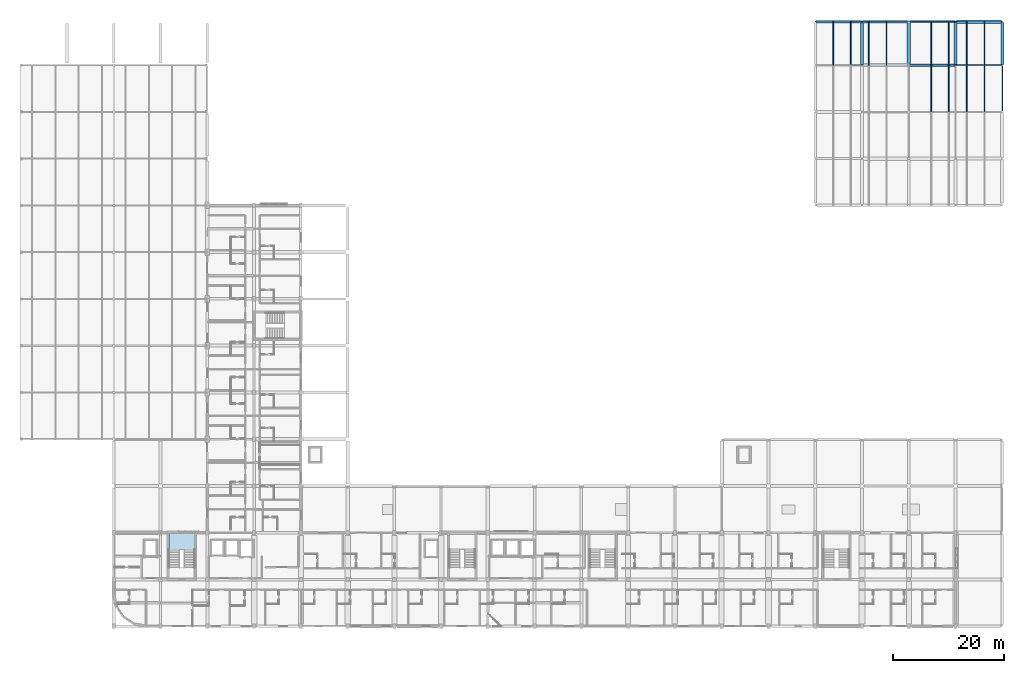
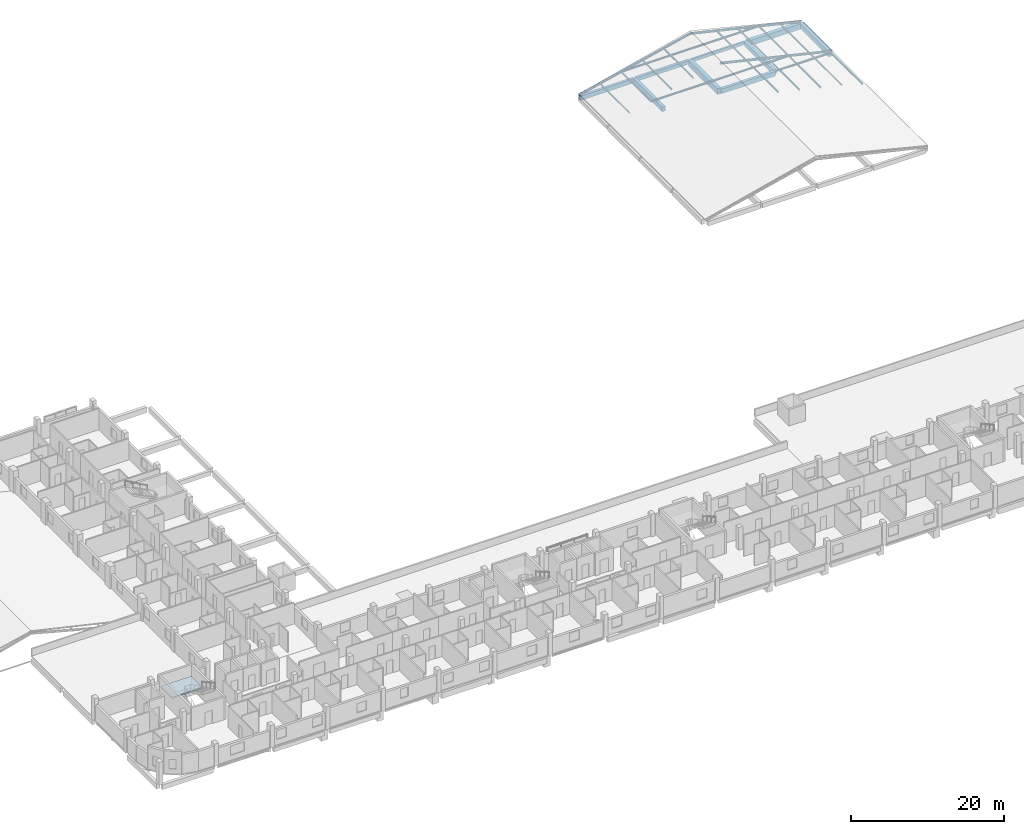
# One storey, part 11 of 42: 17 members, 11 beams, 1 slab, 1 element without a shape of its own.
"""IFC4 building model written with IfcOpenShell, lengths in metres."""

from ifc_helpers import new_model, si_unit, derived_unit, direction, frame, origin, origin_2d, place, context, subcontext, project, spatial, polyline, rectangle, i_section, outline, extrude, material, layer, layer_set, material_profile, profile_set, type_object, element, aggregate, save


model = new_model("IFC4")

# Units and contexts
model_context = context("Model", 3, precision=1e-05, world=origin(), true_north=direction((0.0, 1.0)))
body_context = subcontext(model_context, "Body", "Model", "MODEL_VIEW")
ifc_project = project(units=[si_unit("LENGTHUNIT", "METRE"), si_unit("AREAUNIT", "SQUARE_METRE"), si_unit("VOLUMEUNIT", "CUBIC_METRE"), si_unit("PLANEANGLEUNIT", "RADIAN"), si_unit("MASSUNIT", "GRAM", prefix="KILO"), derived_unit("THERMALTRANSMITTANCEUNIT", [(si_unit("POWERUNIT", "WATT"), 1), (si_unit("LENGTHUNIT", "METRE"), -2), (si_unit("THERMODYNAMICTEMPERATUREUNIT", "KELVIN"), -1)])], contexts=[model_context])

# Site, building, storey
site_placement = place(None, origin())
site = spatial("IfcSite", under=ifc_project, at=site_placement, CompositionType="ELEMENT")
building_placement = place(site_placement, origin())
building = spatial("IfcBuilding", under=site, at=building_placement, Name="Barrovel Congress Hotel", CompositionType="ELEMENT")
storey_placement = place(building_placement, frame((0.0, 0.0, 18.300048828125)))
storey = spatial("IfcBuildingStorey", under=building, at=storey_placement, Name="L04", CompositionType="ELEMENT", Elevation=18.300048828125)

# Beams
ifc_material_1 = material(Name="Concrete C40", Category="concrete")
ifc_material_profile_1 = material_profile(ifc_material_1, rectangle(XDim=0.25, YDim=0.5, at=origin_2d()), Name="RC250x500")
ifc_profile_set_1 = profile_set([ifc_material_profile_1], Name="Concrete C40")
beam_type_1 = type_object("IfcBeamType", Name="BM-RC250x500", PredefinedType="SPANDREL", material=ifc_profile_set_1)
beam_1_placement = place(storey_placement, frame((159.72705078125, 112.800048828125, -0.550048828125), z_axis=(1.0, 0.0, 0.0), x_axis=(0.0, 1.0, 0.0)))
element("IfcBeam", 1, at=beam_1_placement, inside=storey, type_object=beam_type_1, Name="BMX:L04:112.8:159.6-168.0", PredefinedType="SPANDREL", context=body_context, shape_type="SweptSolid", body=[
    extrude(rectangle(XDim=0.25, YDim=0.5, at=origin_2d()), origin(), (0.0, 0.0, 1.0), 8.14599609375),
])
ifc_material_profile_2 = material_profile(ifc_material_1, rectangle(XDim=0.39990234375, YDim=0.60009765625, at=origin_2d()), Name="RC400x600")
ifc_profile_set_2 = profile_set([ifc_material_profile_2], Name="Concrete C40")
beam_type_2 = type_object("IfcBeamType", Name="BM-RC400x600", PredefinedType="BEAM", material=ifc_profile_set_2)
beam_2_placement = place(storey_placement, frame((151.326904296875, 112.800048828125, -0.60009765625), z_axis=(1.0, 0.0, 0.0), x_axis=(0.0, 1.0, 0.0)))
element("IfcBeam", 2, at=beam_2_placement, inside=storey, type_object=beam_type_2, Name="BMX:L04:112.8:151.2-159.6", PredefinedType="BEAM", context=body_context, shape_type="SweptSolid", body=[
    extrude(rectangle(XDim=0.39990234375, YDim=0.60009765625, at=origin_2d()), origin(), (0.0, 0.0, 1.0), 8.14599609375),
])
ifc_material_profile_3 = material_profile(ifc_material_1, rectangle(XDim=0.39990234375, YDim=0.699951171875, at=origin_2d()), Name="RC400x700")
ifc_profile_set_3 = profile_set([ifc_material_profile_3], Name="Concrete C40")
beam_type_3 = type_object("IfcBeamType", Name="BM-RC400x700", PredefinedType="BEAM", material=ifc_profile_set_3)
beam_3_placement = place(storey_placement, frame((142.927001953125, 112.800048828125, -0.650146484375), z_axis=(1.0, 0.0, 0.0), x_axis=(0.0, 1.0, 0.0)))
element("IfcBeam", 3, at=beam_3_placement, inside=storey, type_object=beam_type_3, Name="BMX:L04:112.8:142.8-151.2", PredefinedType="BEAM", context=body_context, shape_type="SweptSolid", body=[
    extrude(rectangle(XDim=0.39990234375, YDim=0.699951171875, at=origin_2d()), origin(), (0.0, 0.0, 1.0), 8.14599609375),
])
ifc_material_profile_4 = material_profile(ifc_material_1, rectangle(XDim=0.449951171875, YDim=0.75, at=origin_2d()), Name="RC450x750")
ifc_profile_set_4 = profile_set([ifc_material_profile_4], Name="Concrete C40")
beam_type_4 = type_object("IfcBeamType", Name="BM-RC450x750", PredefinedType="BEAM", material=ifc_profile_set_4)
beam_4_placement = place(storey_placement, frame((159.72705078125, 105.0, -0.675048828125), z_axis=(1.0, 0.0, 0.0), x_axis=(0.0, 1.0, 0.0)))
element("IfcBeam", 4, at=beam_4_placement, inside=storey, type_object=beam_type_4, Name="BMX:L04:105.0:159.6-168.0", PredefinedType="BEAM", context=body_context, shape_type="SweptSolid", body=[
    extrude(rectangle(XDim=0.449951171875, YDim=0.75, at=origin_2d()), origin(), (0.0, 0.0, 1.0), 8.14599609375),
])
ifc_material_profile_5 = material_profile(ifc_material_1, rectangle(XDim=0.5, YDim=0.75, at=origin_2d()), Name="RC500x750")
ifc_profile_set_5 = profile_set([ifc_material_profile_5], Name="Concrete C40")
beam_type_5 = type_object("IfcBeamType", Name="BM-RC500x750", PredefinedType="BEAM", material=ifc_profile_set_5)
for number, where, z_axis, x_axis, name in (
    (5, (151.199951171875, 105.126953125, -0.675048828125), (0.0, 1.0, 0.0), (-1.0, 0.0, 0.0), "BMY:L04:151.2:105.0-112.8"),
    (6, (168.0, 105.126953125, -0.675048828125), (0.0, 1.0, 0.0), (-1.0, 0.0, 0.0), "BMY:L04:168.0:105.0-112.8"),
):
    element("IfcBeam", number, at=place(storey_placement, frame(where, z_axis=z_axis, x_axis=x_axis)), inside=storey, type_object=beam_type_5, Name=name, PredefinedType="BEAM", context=body_context, shape_type="SweptSolid", body=[
        extrude(rectangle(XDim=0.5, YDim=0.75, at=origin_2d()), origin(), (0.0, 0.0, 1.0), 7.546142578125),
    ])
ifc_material_profile_6 = material_profile(ifc_material_1, rectangle(XDim=0.550048828125, YDim=0.800048828125, at=origin_2d()), Name="RC550x800")
ifc_profile_set_6 = profile_set([ifc_material_profile_6], Name="Concrete C40")
beam_type_6 = type_object("IfcBeamType", Name="BM-RC550x800", PredefinedType="BEAM", material=ifc_profile_set_6)
beam_5_placement = place(storey_placement, frame((176.39990234375, 105.126953125, -0.699951171875), z_axis=(0.0, 1.0, 0.0), x_axis=(-1.0, 0.0, 0.0)))
element("IfcBeam", 7, at=beam_5_placement, inside=storey, type_object=beam_type_6, Name="BMY:L04:176.4:105.0-112.8", PredefinedType="BEAM", context=body_context, shape_type="SweptSolid", body=[
    extrude(rectangle(XDim=0.550048828125, YDim=0.800048828125, at=origin_2d()), origin(), (0.0, 0.0, 1.0), 7.546142578125),
])
ifc_material_profile_7 = material_profile(ifc_material_1, rectangle(XDim=0.60009765625, YDim=0.85009765625, at=origin_2d()), Name="RC600x850")
ifc_profile_set_7 = profile_set([ifc_material_profile_7], Name="Concrete C40")
beam_type_7 = type_object("IfcBeamType", Name="BM-RC600x850", PredefinedType="BEAM", material=ifc_profile_set_7)
beam_6_placement = place(storey_placement, frame((168.126953125, 112.800048828125, -0.72509765625), z_axis=(1.0, 0.0, 0.0), x_axis=(0.0, 1.0, 0.0)))
element("IfcBeam", 8, at=beam_6_placement, inside=storey, type_object=beam_type_7, Name="BMX:L04:112.8:168.0-176.4", PredefinedType="BEAM", context=body_context, shape_type="SweptSolid", body=[
    extrude(rectangle(XDim=0.60009765625, YDim=0.85009765625, at=origin_2d()), origin(), (0.0, 0.0, 1.0), 8.14599609375),
])
ifc_material_profile_8 = material_profile(ifc_material_1, rectangle(XDim=0.60009765625, YDim=0.949951171875, at=origin_2d()), Name="RC600x950")
ifc_profile_set_8 = profile_set([ifc_material_profile_8], Name="Concrete C40")
beam_type_8 = type_object("IfcBeamType", Name="BM-RC600x950", PredefinedType="BEAM", material=ifc_profile_set_8)
beam_7_placement = place(storey_placement, frame((159.60009765625, 105.126953125, -0.775146484375), z_axis=(0.0, 1.0, 0.0), x_axis=(-1.0, 0.0, 0.0)))
element("IfcBeam", 9, at=beam_7_placement, inside=storey, type_object=beam_type_8, Name="BMY:L04:159.6:105.0-112.8", PredefinedType="BEAM", context=body_context, shape_type="SweptSolid", body=[
    extrude(rectangle(XDim=0.60009765625, YDim=0.949951171875, at=origin_2d()), origin(), (0.0, 0.0, 1.0), 7.546142578125),
])

# Members
ifc_material_2 = material(Name="Steel ASTM A992 Grade 50", Category="steel")
ifc_material_profile_9 = material_profile(ifc_material_2, i_section(OverallWidth=0.152099609375, OverallDepth=0.152099609375, WebThickness=0.005859375, FlangeThickness=0.006591796875, FilletRadius=0.009033203125, at=origin_2d()), Name="W150x22.5")
ifc_profile_set_9 = profile_set([ifc_material_profile_9], Name="Steel ASTM A992 Grade 50")
member_type_1 = type_object("IfcMemberType", Name="MEM-W150x22.5", PredefinedType="STRINGER", material=ifc_profile_set_9)
member_1_placement = place(storey_placement, frame((146.0, 105.0, 0.572021484375), z_axis=(0.0, 1.0, 0.0), x_axis=(-1.0, 0.0, 0.0)))
element("IfcMember", 10, at=member_1_placement, inside=storey, type_object=member_type_1, Name="V3-PUR:146.0:105.0", PredefinedType="STRINGER", context=body_context, shape_type="SweptSolid", body=[
    extrude(i_section(OverallWidth=0.152099609375, OverallDepth=0.152099609375, WebThickness=0.005859375, FlangeThickness=0.006591796875, FilletRadius=0.009033203125, at=origin_2d()), origin(), (0.0, 0.0, 1.0), 7.800048828125),
])
member_2_placement = place(storey_placement, frame((173.199951171875, 96.60009765625, 0.572021484375), z_axis=(0.0, 1.0, 0.0), x_axis=(-1.0, 0.0, 0.0)))
element("IfcMember", 11, at=member_2_placement, inside=storey, type_object=member_type_1, Name="V3-PUR:173.2:96.6", PredefinedType="STRINGER", context=body_context, shape_type="SweptSolid", body=[
    extrude(i_section(OverallWidth=0.152099609375, OverallDepth=0.152099609375, WebThickness=0.005859375, FlangeThickness=0.006591796875, FilletRadius=0.009033203125, at=origin_2d()), origin(), (0.0, 0.0, 1.0), 8.39990234375),
])
member_3_placement = place(storey_placement, frame((173.199951171875, 105.0, 0.572021484375), z_axis=(0.0, 1.0, 0.0), x_axis=(-1.0, 0.0, 0.0)))
element("IfcMember", 12, at=member_3_placement, inside=storey, type_object=member_type_1, Name="V3-PUR:173.2:105.0", PredefinedType="STRINGER", context=body_context, shape_type="SweptSolid", body=[
    extrude(i_section(OverallWidth=0.152099609375, OverallDepth=0.152099609375, WebThickness=0.005859375, FlangeThickness=0.006591796875, FilletRadius=0.009033203125, at=origin_2d()), origin(), (0.0, 0.0, 1.0), 7.800048828125),
])
ifc_material_profile_10 = material_profile(ifc_material_2, i_section(OverallWidth=0.166015625, OverallDepth=0.205078125, WebThickness=0.007080078125, FlangeThickness=0.01171875, FilletRadius=0.010009765625, at=origin_2d()), Name="W200x42")
ifc_profile_set_10 = profile_set([ifc_material_profile_10], Name="Steel ASTM A992 Grade 50")
member_type_2 = type_object("IfcMemberType", Name="MEM-W200x42", PredefinedType="PURLIN", material=ifc_profile_set_10)
for number, where, z_axis, x_axis, name in (
    (13, (149.199951171875, 105.0, 1.32421875), (0.0, 1.0, 0.0), (-1.0, 0.0, 0.0), "V3-PUR:149.2:105.0"),
    (14, (152.39990234375, 105.0, 2.076416015625), (0.0, 1.0, 0.0), (-1.0, 0.0, 0.0), "V3-PUR:152.4:105.0"),
    (15, (155.60009765625, 105.0, 2.828369140625), (0.0, 1.0, 0.0), (-1.0, 0.0, 0.0), "V3-PUR:155.6:105.0"),
):
    element("IfcMember", number, at=place(storey_placement, frame(where, z_axis=z_axis, x_axis=x_axis)), inside=storey, type_object=member_type_2, Name=name, PredefinedType="PURLIN", context=body_context, shape_type="SweptSolid", body=[
        extrude(i_section(OverallWidth=0.166015625, OverallDepth=0.205078125, WebThickness=0.007080078125, FlangeThickness=0.01171875, FilletRadius=0.010009765625, at=origin_2d()), origin(), (0.0, 0.0, 1.0), 7.800048828125),
    ])
member_4_placement = place(storey_placement, frame((163.60009765625, 96.60009765625, 2.828369140625), z_axis=(0.0, 1.0, 0.0), x_axis=(-1.0, 0.0, 0.0)))
element("IfcMember", 16, at=member_4_placement, inside=storey, type_object=member_type_2, Name="V3-PUR:163.6:96.6", PredefinedType="PURLIN", context=body_context, shape_type="SweptSolid", body=[
    extrude(i_section(OverallWidth=0.166015625, OverallDepth=0.205078125, WebThickness=0.007080078125, FlangeThickness=0.01171875, FilletRadius=0.010009765625, at=origin_2d()), origin(), (0.0, 0.0, 1.0), 8.39990234375),
])
member_5_placement = place(storey_placement, frame((163.60009765625, 105.0, 2.828369140625), z_axis=(0.0, 1.0, 0.0), x_axis=(-1.0, 0.0, 0.0)))
element("IfcMember", 17, at=member_5_placement, inside=storey, type_object=member_type_2, Name="V3-PUR:163.6:105.0", PredefinedType="PURLIN", context=body_context, shape_type="SweptSolid", body=[
    extrude(i_section(OverallWidth=0.166015625, OverallDepth=0.205078125, WebThickness=0.007080078125, FlangeThickness=0.01171875, FilletRadius=0.010009765625, at=origin_2d()), origin(), (0.0, 0.0, 1.0), 7.800048828125),
])
member_6_placement = place(storey_placement, frame((166.800048828125, 96.60009765625, 2.076416015625), z_axis=(0.0, 1.0, 0.0), x_axis=(-1.0, 0.0, 0.0)))
element("IfcMember", 18, at=member_6_placement, inside=storey, type_object=member_type_2, Name="V3-PUR:166.8:96.6", PredefinedType="PURLIN", context=body_context, shape_type="SweptSolid", body=[
    extrude(i_section(OverallWidth=0.166015625, OverallDepth=0.205078125, WebThickness=0.007080078125, FlangeThickness=0.01171875, FilletRadius=0.010009765625, at=origin_2d()), origin(), (0.0, 0.0, 1.0), 8.39990234375),
])
member_7_placement = place(storey_placement, frame((166.800048828125, 105.0, 2.076416015625), z_axis=(0.0, 1.0, 0.0), x_axis=(-1.0, 0.0, 0.0)))
element("IfcMember", 19, at=member_7_placement, inside=storey, type_object=member_type_2, Name="V3-PUR:166.8:105.0", PredefinedType="PURLIN", context=body_context, shape_type="SweptSolid", body=[
    extrude(i_section(OverallWidth=0.166015625, OverallDepth=0.205078125, WebThickness=0.007080078125, FlangeThickness=0.01171875, FilletRadius=0.010009765625, at=origin_2d()), origin(), (0.0, 0.0, 1.0), 7.800048828125),
])
member_8_placement = place(storey_placement, frame((170.0, 96.60009765625, 1.32421875), z_axis=(0.0, 1.0, 0.0), x_axis=(-1.0, 0.0, 0.0)))
element("IfcMember", 20, at=member_8_placement, inside=storey, type_object=member_type_2, Name="V3-PUR:170.0:96.6", PredefinedType="PURLIN", context=body_context, shape_type="SweptSolid", body=[
    extrude(i_section(OverallWidth=0.166015625, OverallDepth=0.205078125, WebThickness=0.007080078125, FlangeThickness=0.01171875, FilletRadius=0.010009765625, at=origin_2d()), origin(), (0.0, 0.0, 1.0), 8.39990234375),
])
member_9_placement = place(storey_placement, frame((170.0, 105.0, 1.32421875), z_axis=(0.0, 1.0, 0.0), x_axis=(-1.0, 0.0, 0.0)))
element("IfcMember", 21, at=member_9_placement, inside=storey, type_object=member_type_2, Name="V3-PUR:170.0:105.0", PredefinedType="PURLIN", context=body_context, shape_type="SweptSolid", body=[
    extrude(i_section(OverallWidth=0.166015625, OverallDepth=0.205078125, WebThickness=0.007080078125, FlangeThickness=0.01171875, FilletRadius=0.010009765625, at=origin_2d()), origin(), (0.0, 0.0, 1.0), 7.800048828125),
])
ifc_material_profile_11 = material_profile(ifc_material_2, i_section(OverallWidth=0.201904296875, OverallDepth=0.2470703125, WebThickness=0.00732421875, FlangeThickness=0.010986328125, FilletRadius=0.011962890625, at=origin_2d()), Name="W250x49")
ifc_profile_set_11 = profile_set([ifc_material_profile_11], Name="Steel ASTM A992 Grade 50")
member_type_3 = type_object("IfcMemberType", Name="MEM-W250x49", PredefinedType="RAFTER", material=ifc_profile_set_11)
for number, where, z_axis, x_axis, name in (
    (22, (149.199951171875, 105.0, 1.32421875), (1.0, 0.0, 0.0), (0.0, 1.0, 0.0), "V3-TIE:105.0"),
    (23, (149.199951171875, 112.800048828125, 1.32421875), (1.0, 0.0, 0.0), (0.0, 1.0, 0.0), "V3-TIE:112.8"),
):
    element("IfcMember", number, at=place(storey_placement, frame(where, z_axis=z_axis, x_axis=x_axis)), inside=storey, type_object=member_type_3, Name=name, PredefinedType="RAFTER", context=body_context, shape_type="SweptSolid", body=[
        extrude(i_section(OverallWidth=0.201904296875, OverallDepth=0.2470703125, WebThickness=0.00732421875, FlangeThickness=0.010986328125, FilletRadius=0.011962890625, at=origin_2d()), origin(), (0.0, 0.0, 1.0), 20.800048828125),
    ])
ifc_material_profile_12 = material_profile(ifc_material_2, i_section(OverallWidth=0.205078125, OverallDepth=0.31005859375, WebThickness=0.009521484375, FlangeThickness=0.016357421875, FilletRadius=0.012939453125, at=origin_2d()), Name="W310x74")
ifc_profile_set_12 = profile_set([ifc_material_profile_12], Name="Steel ASTM A992 Grade 50")
member_type_4 = type_object("IfcMemberType", Name="MEM-W310x74", PredefinedType="RAFTER", material=ifc_profile_set_12)
member_10_placement = place(storey_placement, frame((159.60009765625, 105.0, 3.7685546875), z_axis=(0.97347409676, 0.0, -0.228797252905), x_axis=(0.0, 1.0, 0.0)))
element("IfcMember", 24, at=member_10_placement, inside=storey, type_object=member_type_4, Name="V3-RAF-E:105.0", PredefinedType="RAFTER", context=body_context, shape_type="SweptSolid", body=[
    extrude(i_section(OverallWidth=0.205078125, OverallDepth=0.31005859375, WebThickness=0.009521484375, FlangeThickness=0.016357421875, FilletRadius=0.012939453125, at=origin_2d()), origin(), (0.0, 0.0, 1.0), 17.257568359375),
])
member_11_placement = place(storey_placement, frame((142.800048828125, 112.800048828125, -0.179931640625), z_axis=(0.973474837308, 0.0, 0.228794102041), x_axis=(0.0, 1.0, 0.0)))
element("IfcMember", 25, at=member_11_placement, inside=storey, type_object=member_type_4, Name="V3-RAF-W:112.8", PredefinedType="RAFTER", context=body_context, shape_type="SweptSolid", body=[
    extrude(i_section(OverallWidth=0.205078125, OverallDepth=0.31005859375, WebThickness=0.009521484375, FlangeThickness=0.016357421875, FilletRadius=0.012939453125, at=origin_2d()), origin(), (0.0, 0.0, 1.0), 17.2578125),
])
member_12_placement = place(storey_placement, frame((159.60009765625, 112.800048828125, 3.7685546875), z_axis=(0.97347409676, 0.0, -0.228797252905), x_axis=(0.0, 1.0, 0.0)))
element("IfcMember", 26, at=member_12_placement, inside=storey, type_object=member_type_4, Name="V3-RAF-E:112.8", PredefinedType="RAFTER", context=body_context, shape_type="SweptSolid", body=[
    extrude(i_section(OverallWidth=0.205078125, OverallDepth=0.31005859375, WebThickness=0.009521484375, FlangeThickness=0.016357421875, FilletRadius=0.012939453125, at=origin_2d()), origin(), (0.0, 0.0, 1.0), 17.257568359375),
])

# Beams
ifc_material_profile_13 = material_profile(ifc_material_2, i_section(OverallWidth=0.201904296875, OverallDepth=0.2470703125, WebThickness=0.00732421875, FlangeThickness=0.010986328125, FilletRadius=0.011962890625, at=origin_2d()), Name="W250x49")
ifc_profile_set_13 = profile_set([ifc_material_profile_13], Name="Steel ASTM A992 Grade 50")
beam_type_9 = type_object("IfcBeamType", Name="SBM-W250x49", PredefinedType="SPANDREL", material=ifc_profile_set_13)
for number, where, z_axis, x_axis, name in (
    (27, (168.126953125, 105.0, -0.423583984375), (1.0, 0.0, 0.0), (0.0, 1.0, 0.0), "BMX:L04:105.0:168.0-176.4"),
    (28, (176.39990234375, 96.72705078125, -0.423583984375), (0.0, 1.0, 0.0), (-1.0, 0.0, 0.0), "BMY:L04:176.4:96.6-105.0"),
):
    element("IfcBeam", number, at=place(storey_placement, frame(where, z_axis=z_axis, x_axis=x_axis)), inside=storey, type_object=beam_type_9, Name=name, PredefinedType="SPANDREL", context=body_context, shape_type="SweptSolid", body=[
        extrude(i_section(OverallWidth=0.201904296875, OverallDepth=0.2470703125, WebThickness=0.00732421875, FlangeThickness=0.010986328125, FilletRadius=0.011962890625, at=origin_2d()), origin(), (0.0, 0.0, 1.0), 8.14599609375),
    ])

# Stair, slab
stair_type = type_object("IfcStairType", Name="STR-HT-360", PredefinedType="HALF_TURN_STAIR", material=ifc_material_1)
stair_placement = place(storey_placement, origin())
stair = element("IfcStair", 29, at=stair_placement, inside=storey, type_object=stair_type, Name="Exit Stair XS-01 (L04)", PredefinedType="HALF_TURN_STAIR")
ifc_layer = layer(ifc_material_1, 0.18994140625)
ifc_layer_set = layer_set([ifc_layer], Name="Concrete C40")
slab_type = type_object("IfcSlabType", Name="SL-LDG-190", PredefinedType="LANDING", material=ifc_layer_set)
slab_placement = place(storey_placement, frame((0.0, 0.0, 1.60986328125)))
slab = element("IfcSlab", 30, at=slab_placement, type_object=slab_type, Name="STAIR:XS-01:L04:LDG", PredefinedType="LANDING", context=body_context, shape_type="SweptSolid", body=[
    extrude(outline(polyline([(26.679931640625, 18.010009765625), (31.320068359375, 18.010009765625), (31.320068359375, 21.02001953125), (26.679931640625, 21.02001953125), (26.679931640625, 18.010009765625)])), origin(), (0.0, 0.0, 1.0), 0.190185546875),
])
aggregate(stair, [slab])

save(model, "model.ifc")
